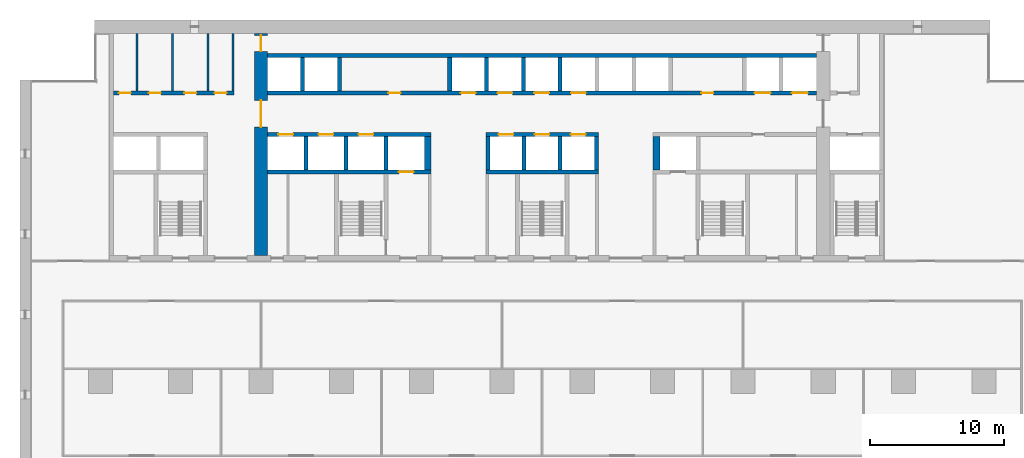
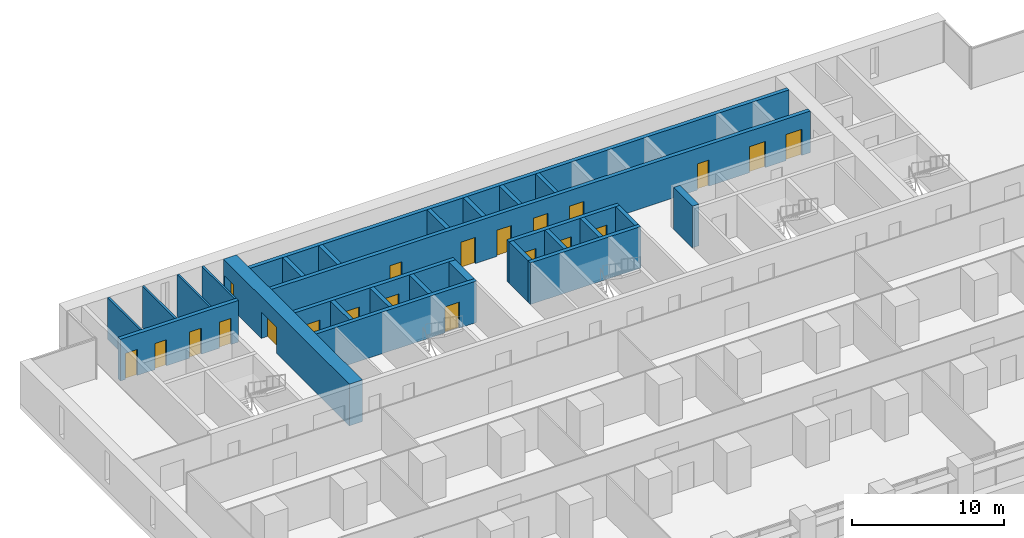
# One storey, part 11 of 18: 27 walls, 21 doors, 21 openings.
"""IFC4 building model written with IfcOpenShell, lengths in metres."""

from ifc_helpers import new_model, si_unit, direction, frame, frame_2d, origin, place, context, subcontext, project, spatial, rectangle, extrude, material, layer, layer_set, type_object, element, fill, save


model = new_model("IFC4")

# Units and contexts
model_context = context("Model", 3, precision=1e-05, world=origin(), true_north=direction((0.0, 1.0)))
body_context = subcontext(model_context, "Body", "Model", "MODEL_VIEW")
ifc_project = project(units=[si_unit("LENGTHUNIT", "METRE"), si_unit("AREAUNIT", "SQUARE_METRE"), si_unit("VOLUMEUNIT", "CUBIC_METRE"), si_unit("PLANEANGLEUNIT", "RADIAN"), si_unit("MASSUNIT", "GRAM", prefix="KILO")], contexts=[model_context])

# Site, building, storey
site_placement = place(None, origin())
site = spatial("IfcSite", under=ifc_project, at=site_placement, CompositionType="ELEMENT")
building_placement = place(site_placement, origin())
building = spatial("IfcBuilding", under=site, at=building_placement, Name="Calvaro Tower", CompositionType="ELEMENT")
storey_placement = place(building_placement, frame((0.0, 0.0, 33.75)))
storey = spatial("IfcBuildingStorey", under=building, at=storey_placement, Name="L07", CompositionType="ELEMENT", Elevation=33.75)

# Walls
ifc_material_1 = material(Name="Blockwork partition", Category="masonry")
ifc_layer_1 = layer(ifc_material_1, 0.14990234375)
ifc_layer_set_1 = layer_set([ifc_layer_1], Name="Blockwork partition")
wall_type_1 = type_object("IfcWallType", Name="Core partition 150 EI 60", PredefinedType="PARTITIONING", material=ifc_layer_set_1)
for number, where, z_axis, x_axis, name in (
    (1, (8.75, 40.699951171875, 0.0), (0.0, 0.0, 1.0), (0.0, 1.0, 0.0), "Core partition"),
    (2, (11.39990234375, 40.699951171875, 0.0), (0.0, 0.0, 1.0), (0.0, 1.0, 0.0), "Core partition"),
    (3, (14.050048828125, 40.699951171875, 0.0), (0.0, 0.0, 1.0), (0.0, 1.0, 0.0), "Core partition"),
):
    element("IfcWall", number, at=place(storey_placement, frame(where, z_axis=z_axis, x_axis=x_axis)), inside=storey, type_object=wall_type_1, Name=name, PredefinedType="PARTITIONING", context=body_context, shape_type="SweptSolid", body=[
        extrude(rectangle(XDim=4.300048828125, YDim=0.14990234375, at=frame_2d((2.14990234375, 0.0))), origin(), (0.0, 0.0, 1.0), 3.35009765625),
    ])
ifc_material_2 = material(Name="Blockwork partition", Category="masonry")
ifc_layer_2 = layer(ifc_material_2, 0.14990234375)
ifc_layer_set_2 = layer_set([ifc_layer_2], Name="Blockwork partition")
wall_type_2 = type_object("IfcWallType", Name="Core partition 150 REI 120", PredefinedType="PARTITIONING", material=ifc_layer_set_2)
wall_1_placement = place(storey_placement, frame((15.925048828125, 40.699951171875, 0.0), z_axis=(0.0, 0.0, 1.0), x_axis=(0.0, 1.0, 0.0)))
element("IfcWall", 4, at=wall_1_placement, inside=storey, type_object=wall_type_2, Name="Core partition", PredefinedType="PARTITIONING", context=body_context, shape_type="SweptSolid", body=[
    extrude(rectangle(XDim=4.300048828125, YDim=0.14990234375, at=frame_2d((2.14990234375, 0.0))), origin(), (0.0, 0.0, 1.0), 3.35009765625),
])

# Wall, openings, doors
ifc_material_3 = material(Name="Blockwork partition", Category="masonry")
ifc_layer_3 = layer(ifc_material_3, 0.300048828125)
ifc_layer_set_3 = layer_set([ifc_layer_3], Name="Blockwork partition")
wall_type_3 = type_object("IfcWallType", Name="Core partition 300 REI 120", PredefinedType="PARTITIONING", material=ifc_layer_set_3)
wall_2_placement = place(storey_placement, frame((7.0, 40.550048828125, 0.0), z_axis=(0.0, 0.0, 1.0), x_axis=(1.0, 0.0, 0.0)))
wall_2 = element("IfcWall", 5, at=wall_2_placement, inside=storey, type_object=wall_type_3, Name="Core partition", PredefinedType="PARTITIONING", context=body_context, shape_type="SweptSolid", body=[
    extrude(rectangle(XDim=9.0, YDim=0.300048828125, at=frame_2d((4.5, 0.0))), origin(), (0.0, 0.0, 1.0), 3.35009765625),
])
opening_1_placement = place(wall_2_placement, frame((0.387451171875, 0.0, 0.0)))
opening_1 = element("IfcOpeningElement", 6, at=opening_1_placement, cuts=wall_2, Name="Opening RD9C", PredefinedType="OPENING", context=body_context, shape_type="SweptSolid", body=[
    extrude(rectangle(XDim=0.89990234375, YDim=2.10009765625, at=frame_2d((0.449951171875, 1.050048828125))), frame((0.0, 0.159912109375, 0.0), z_axis=(0.0, -1.0, 0.0), x_axis=(1.0, 0.0, 0.0)), (0.0, 0.0, 1.0), 0.320068359375),
])
opening_2_placement = place(wall_2_placement, frame((2.625, 0.0, 0.0)))
opening_2 = element("IfcOpeningElement", 7, at=opening_2_placement, cuts=wall_2, Name="Opening RD9", PredefinedType="OPENING", context=body_context, shape_type="SweptSolid", body=[
    extrude(rectangle(XDim=0.89990234375, YDim=2.10009765625, at=frame_2d((0.449951171875, 1.050048828125))), frame((0.0, 0.159912109375, 0.0), z_axis=(0.0, -1.0, 0.0), x_axis=(1.0, 0.0, 0.0)), (0.0, 0.0, 1.0), 0.320068359375),
])
opening_3_placement = place(wall_2_placement, frame((5.27490234375, 0.0, 0.0)))
opening_3 = element("IfcOpeningElement", 8, at=opening_3_placement, cuts=wall_2, Name="Opening RD9", PredefinedType="OPENING", context=body_context, shape_type="SweptSolid", body=[
    extrude(rectangle(XDim=0.89990234375, YDim=2.10009765625, at=frame_2d((0.449951171875, 1.050048828125))), frame((0.0, 0.159912109375, 0.0), z_axis=(0.0, -1.0, 0.0), x_axis=(1.0, 0.0, 0.0)), (0.0, 0.0, 1.0), 0.320068359375),
])
opening_4_placement = place(wall_2_placement, frame((7.53759765625, 0.0, 0.0)))
opening_4 = element("IfcOpeningElement", 9, at=opening_4_placement, cuts=wall_2, Name="Opening RD9", PredefinedType="OPENING", context=body_context, shape_type="SweptSolid", body=[
    extrude(rectangle(XDim=0.89990234375, YDim=2.10009765625, at=frame_2d((0.449951171875, 1.050048828125))), frame((0.0, 0.159912109375, 0.0), z_axis=(0.0, -1.0, 0.0), x_axis=(1.0, 0.0, 0.0)), (0.0, 0.0, 1.0), 0.320068359375),
])
ifc_material_4 = material(Name="Steel door set", Category="steel")
door_type_1 = type_object("IfcDoorType", Name="Room door 900", OperationType="SINGLE_SWING_LEFT", PredefinedType="DOOR", material=ifc_material_4)
door_1_placement = place(opening_2_placement, origin())
door_1 = element("IfcDoor", 10, at=door_1_placement, inside=storey, type_object=door_type_1, Name="Room door", OperationType="SINGLE_SWING_LEFT", OverallHeight=2.10009765625, OverallWidth=0.89990234375, PredefinedType="DOOR", context=body_context, shape_type="SweptSolid", body=[
    extrude(rectangle(XDim=0.89990234375, YDim=2.10009765625, at=frame_2d((0.449951171875, 1.050048828125))), frame((0.0, 0.02490234375, 0.0), z_axis=(0.0, -1.0, 0.0), x_axis=(1.0, 0.0, 0.0)), (0.0, 0.0, 1.0), 0.050048828125),
])
fill(opening_2, door_1)
door_2_placement = place(opening_3_placement, origin())
door_2 = element("IfcDoor", 11, at=door_2_placement, inside=storey, type_object=door_type_1, Name="Room door", OperationType="SINGLE_SWING_LEFT", OverallHeight=2.10009765625, OverallWidth=0.89990234375, PredefinedType="DOOR", context=body_context, shape_type="SweptSolid", body=[
    extrude(rectangle(XDim=0.89990234375, YDim=2.10009765625, at=frame_2d((0.449951171875, 1.050048828125))), frame((0.0, 0.02490234375, 0.0), z_axis=(0.0, -1.0, 0.0), x_axis=(1.0, 0.0, 0.0)), (0.0, 0.0, 1.0), 0.050048828125),
])
fill(opening_3, door_2)
door_3_placement = place(opening_4_placement, origin())
door_3 = element("IfcDoor", 12, at=door_3_placement, inside=storey, type_object=door_type_1, Name="Room door", OperationType="SINGLE_SWING_RIGHT", OverallHeight=2.10009765625, OverallWidth=0.89990234375, PredefinedType="DOOR", context=body_context, shape_type="SweptSolid", body=[
    extrude(rectangle(XDim=0.89990234375, YDim=2.10009765625, at=frame_2d((0.449951171875, 1.050048828125))), frame((0.0, 0.02490234375, 0.0), z_axis=(0.0, -1.0, 0.0), x_axis=(1.0, 0.0, 0.0)), (0.0, 0.0, 1.0), 0.050048828125),
])
fill(opening_4, door_3)
ifc_material_5 = material(Name="Steel door set", Category="steel")
door_type_2 = type_object("IfcDoorType", Name="Room door 900 FD30", OperationType="SINGLE_SWING_LEFT", PredefinedType="DOOR", material=ifc_material_5)
door_4_placement = place(opening_1_placement, origin())
door_4 = element("IfcDoor", 13, at=door_4_placement, inside=storey, type_object=door_type_2, Name="Room door", OperationType="SINGLE_SWING_LEFT", OverallHeight=2.10009765625, OverallWidth=0.89990234375, PredefinedType="DOOR", context=body_context, shape_type="SweptSolid", body=[
    extrude(rectangle(XDim=0.89990234375, YDim=2.10009765625, at=frame_2d((0.449951171875, 1.050048828125))), frame((0.0, 0.02490234375, 0.0), z_axis=(0.0, -1.0, 0.0), x_axis=(1.0, 0.0, 0.0)), (0.0, 0.0, 1.0), 0.050048828125),
])
fill(opening_1, door_4)

ifc_material_6 = material(Name="Concrete C80/95", Category="concrete")
ifc_layer_4 = layer(ifc_material_6, 1.0)
ifc_layer_set_4 = layer_set([ifc_layer_4], Name="Concrete C80/95")
wall_type_4 = type_object("IfcWallType", Name="Core wall C80/95 1000", PredefinedType="SHEAR", material=ifc_layer_set_4)
wall_3_placement = place(storey_placement, frame((18.0, 28.39990234375, 0.0), z_axis=(0.0, 0.0, 1.0), x_axis=(0.0, 1.0, 0.0)))
wall_3 = element("IfcWall", 14, at=wall_3_placement, inside=storey, type_object=wall_type_4, Name="Core wall, cross shear wall", PredefinedType="SHEAR", context=body_context, shape_type="SweptSolid", body=[
    extrude(rectangle(XDim=16.60009765625, YDim=1.0, at=frame_2d((8.300048828125, 0.0))), origin(), (0.0, 0.0, 1.0), 3.35009765625),
])
opening_5_placement = place(wall_3_placement, frame((9.60009765625, 0.0, 0.0)))
opening_5 = element("IfcOpeningElement", 15, at=opening_5_placement, cuts=wall_3, Name="Opening DD20D", PredefinedType="OPENING", context=body_context, shape_type="SweptSolid", body=[
    extrude(rectangle(XDim=2.0, YDim=2.10009765625, at=frame_2d((1.0, 1.050048828125))), frame((0.0, 0.510009765625, 0.0), z_axis=(0.0, -1.0, 0.0), x_axis=(1.0, 0.0, 0.0)), (0.0, 0.0, 1.0), 1.02001953125),
])
opening_6_placement = place(wall_3_placement, frame((15.25, 0.0, 0.0)))
opening_6 = element("IfcOpeningElement", 16, at=opening_6_placement, cuts=wall_3, Name="Opening FD12C", PredefinedType="OPENING", context=body_context, shape_type="SweptSolid", body=[
    extrude(rectangle(XDim=1.199951171875, YDim=2.10009765625, at=frame_2d((0.60009765625, 1.050048828125))), frame((0.0, 0.510009765625, 0.0), z_axis=(0.0, -1.0, 0.0), x_axis=(1.0, 0.0, 0.0)), (0.0, 0.0, 1.0), 1.02001953125),
])
ifc_material_7 = material(Name="Steel door set", Category="steel")
door_type_3 = type_object("IfcDoorType", Name="Fire door 1200 FD30", OperationType="SINGLE_SWING_LEFT", PredefinedType="DOOR", material=ifc_material_7)
door_5_placement = place(opening_6_placement, origin())
door_5 = element("IfcDoor", 17, at=door_5_placement, inside=storey, type_object=door_type_3, Name="Fire door", OperationType="SINGLE_SWING_LEFT", OverallHeight=2.10009765625, OverallWidth=1.199951171875, PredefinedType="DOOR", context=body_context, shape_type="SweptSolid", body=[
    extrude(rectangle(XDim=1.199951171875, YDim=2.10009765625, at=frame_2d((0.60009765625, 1.050048828125))), frame((0.0, 0.02490234375, 0.0), z_axis=(0.0, -1.0, 0.0), x_axis=(1.0, 0.0, 0.0)), (0.0, 0.0, 1.0), 0.050048828125),
])
fill(opening_6, door_5)
ifc_material_8 = material(Name="Steel door set", Category="steel")
door_type_4 = type_object("IfcDoorType", Name="Lobby double door 2000 FD30S", OperationType="DOUBLE_DOOR_SINGLE_SWING", PredefinedType="DOOR", material=ifc_material_8)
door_6_placement = place(opening_5_placement, origin())
door_6 = element("IfcDoor", 18, at=door_6_placement, inside=storey, type_object=door_type_4, Name="Lobby double door", OperationType="DOUBLE_DOOR_SINGLE_SWING", OverallHeight=2.10009765625, OverallWidth=2.0, PredefinedType="DOOR", context=body_context, shape_type="SweptSolid", body=[
    extrude(rectangle(XDim=2.0, YDim=2.10009765625, at=frame_2d((1.0, 1.050048828125))), frame((0.0, 0.02490234375, 0.0), z_axis=(0.0, -1.0, 0.0), x_axis=(1.0, 0.0, 0.0)), (0.0, 0.0, 1.0), 0.050048828125),
])
fill(opening_5, door_6)

# Wall, opening, door
ifc_material_9 = material(Name="Concrete C80/95", Category="concrete")
ifc_layer_5 = layer(ifc_material_9, 0.300048828125)
ifc_layer_set_5 = layer_set([ifc_layer_5], Name="Concrete C80/95")
wall_type_5 = type_object("IfcWallType", Name="Core wall C80/95 300", PredefinedType="SHEAR", material=ifc_layer_set_5)
wall_4_placement = place(storey_placement, frame((18.5, 34.64990234375, 0.0), z_axis=(0.0, 0.0, 1.0), x_axis=(1.0, 0.0, 0.0)))
wall_4 = element("IfcWall", 19, at=wall_4_placement, inside=storey, type_object=wall_type_5, Name="Core wall, lift shaft", PredefinedType="SHEAR", context=body_context, shape_type="SweptSolid", body=[
    extrude(rectangle(XDim=12.199951171875, YDim=0.300048828125, at=frame_2d((6.10009765625, 0.0))), origin(), (0.0, 0.0, 1.0), 3.35009765625),
])
opening_7_placement = place(wall_4_placement, frame((9.800048828125, 0.0, 0.0)))
opening_7 = element("IfcOpeningElement", 20, at=opening_7_placement, cuts=wall_4, Name="Opening FF1", PredefinedType="OPENING", context=body_context, shape_type="SweptSolid", body=[
    extrude(rectangle(XDim=1.10009765625, YDim=2.10009765625, at=frame_2d((0.550048828125, 1.050048828125))), frame((0.0, 0.159912109375, 0.0), z_axis=(0.0, -1.0, 0.0), x_axis=(1.0, 0.0, 0.0)), (0.0, 0.0, 1.0), 0.320068359375),
])
ifc_material_10 = material(Name="Stainless steel", Category="steel")
door_type_5 = type_object("IfcDoorType", Name="Landing door 1100 E 60", OperationType="SLIDING_TO_LEFT", PredefinedType="DOOR", material=ifc_material_10)
door_7_placement = place(opening_7_placement, origin())
door_7 = element("IfcDoor", 21, at=door_7_placement, inside=storey, type_object=door_type_5, Name="Landing door FF1", OperationType="SLIDING_TO_LEFT", OverallHeight=2.10009765625, OverallWidth=1.10009765625, PredefinedType="DOOR", context=body_context, shape_type="SweptSolid", body=[
    extrude(rectangle(XDim=1.10009765625, YDim=2.10009765625, at=frame_2d((0.550048828125, 1.050048828125))), frame((0.0, 0.02490234375, 0.0), z_axis=(0.0, -1.0, 0.0), x_axis=(1.0, 0.0, 0.0)), (0.0, 0.0, 1.0), 0.050048828125),
])
fill(opening_7, door_7)

# Wall
wall_5_placement = place(storey_placement, frame((34.800048828125, 34.64990234375, 0.0), z_axis=(0.0, 0.0, 1.0), x_axis=(1.0, 0.0, 0.0)))
element("IfcWall", 22, at=wall_5_placement, inside=storey, type_object=wall_type_5, Name="Core wall, lift shaft", PredefinedType="SHEAR", context=body_context, shape_type="SweptSolid", body=[
    extrude(rectangle(XDim=8.39990234375, YDim=0.300048828125, at=frame_2d((4.199951171875, 0.0))), origin(), (0.0, 0.0, 1.0), 3.35009765625),
])

# Wall, openings, doors
wall_6_placement = place(storey_placement, frame((18.5, 37.449951171875, 0.0), z_axis=(0.0, 0.0, 1.0), x_axis=(1.0, 0.0, 0.0)))
wall_6 = element("IfcWall", 23, at=wall_6_placement, inside=storey, type_object=wall_type_5, Name="Core wall, lift shaft", PredefinedType="SHEAR", context=body_context, shape_type="SweptSolid", body=[
    extrude(rectangle(XDim=12.199951171875, YDim=0.300048828125, at=frame_2d((6.10009765625, 0.0))), origin(), (0.0, 0.0, 1.0), 3.35009765625),
])
opening_8_placement = place(wall_6_placement, frame((0.800048828125, 0.0, 0.0)))
opening_8 = element("IfcOpeningElement", 24, at=opening_8_placement, cuts=wall_6, Name="Opening LR1", PredefinedType="OPENING", context=body_context, shape_type="SweptSolid", body=[
    extrude(rectangle(XDim=1.10009765625, YDim=2.10009765625, at=frame_2d((0.550048828125, 1.050048828125))), frame((0.0, 0.159912109375, 0.0), z_axis=(0.0, -1.0, 0.0), x_axis=(1.0, 0.0, 0.0)), (0.0, 0.0, 1.0), 0.320068359375),
])
opening_9_placement = place(wall_6_placement, frame((3.800048828125, 0.0, 0.0)))
opening_9 = element("IfcOpeningElement", 25, at=opening_9_placement, cuts=wall_6, Name="Opening LR2", PredefinedType="OPENING", context=body_context, shape_type="SweptSolid", body=[
    extrude(rectangle(XDim=1.10009765625, YDim=2.10009765625, at=frame_2d((0.550048828125, 1.050048828125))), frame((0.0, 0.159912109375, 0.0), z_axis=(0.0, -1.0, 0.0), x_axis=(1.0, 0.0, 0.0)), (0.0, 0.0, 1.0), 0.320068359375),
])
opening_10_placement = place(wall_6_placement, frame((6.800048828125, 0.0, 0.0)))
opening_10 = element("IfcOpeningElement", 26, at=opening_10_placement, cuts=wall_6, Name="Opening LR3", PredefinedType="OPENING", context=body_context, shape_type="SweptSolid", body=[
    extrude(rectangle(XDim=1.10009765625, YDim=2.10009765625, at=frame_2d((0.550048828125, 1.050048828125))), frame((0.0, 0.159912109375, 0.0), z_axis=(0.0, -1.0, 0.0), x_axis=(1.0, 0.0, 0.0)), (0.0, 0.0, 1.0), 0.320068359375),
])
door_8_placement = place(opening_8_placement, origin())
door_8 = element("IfcDoor", 27, at=door_8_placement, inside=storey, type_object=door_type_5, Name="Landing door LR1", OperationType="SLIDING_TO_LEFT", OverallHeight=2.10009765625, OverallWidth=1.10009765625, PredefinedType="DOOR", context=body_context, shape_type="SweptSolid", body=[
    extrude(rectangle(XDim=1.10009765625, YDim=2.10009765625, at=frame_2d((0.550048828125, 1.050048828125))), frame((0.0, 0.02490234375, 0.0), z_axis=(0.0, -1.0, 0.0), x_axis=(1.0, 0.0, 0.0)), (0.0, 0.0, 1.0), 0.050048828125),
])
fill(opening_8, door_8)
door_9_placement = place(opening_9_placement, origin())
door_9 = element("IfcDoor", 28, at=door_9_placement, inside=storey, type_object=door_type_5, Name="Landing door LR2", OperationType="SLIDING_TO_LEFT", OverallHeight=2.10009765625, OverallWidth=1.10009765625, PredefinedType="DOOR", context=body_context, shape_type="SweptSolid", body=[
    extrude(rectangle(XDim=1.10009765625, YDim=2.10009765625, at=frame_2d((0.550048828125, 1.050048828125))), frame((0.0, 0.02490234375, 0.0), z_axis=(0.0, -1.0, 0.0), x_axis=(1.0, 0.0, 0.0)), (0.0, 0.0, 1.0), 0.050048828125),
])
fill(opening_9, door_9)
door_10_placement = place(opening_10_placement, origin())
door_10 = element("IfcDoor", 29, at=door_10_placement, inside=storey, type_object=door_type_5, Name="Landing door LR3", OperationType="SLIDING_TO_LEFT", OverallHeight=2.10009765625, OverallWidth=1.10009765625, PredefinedType="DOOR", context=body_context, shape_type="SweptSolid", body=[
    extrude(rectangle(XDim=1.10009765625, YDim=2.10009765625, at=frame_2d((0.550048828125, 1.050048828125))), frame((0.0, 0.02490234375, 0.0), z_axis=(0.0, -1.0, 0.0), x_axis=(1.0, 0.0, 0.0)), (0.0, 0.0, 1.0), 0.050048828125),
])
fill(opening_10, door_10)

wall_7_placement = place(storey_placement, frame((34.800048828125, 37.449951171875, 0.0), z_axis=(0.0, 0.0, 1.0), x_axis=(1.0, 0.0, 0.0)))
wall_7 = element("IfcWall", 30, at=wall_7_placement, inside=storey, type_object=wall_type_5, Name="Core wall, lift shaft", PredefinedType="SHEAR", context=body_context, shape_type="SweptSolid", body=[
    extrude(rectangle(XDim=8.39990234375, YDim=0.300048828125, at=frame_2d((4.199951171875, 0.0))), origin(), (0.0, 0.0, 1.0), 3.35009765625),
])
opening_11_placement = place(wall_7_placement, frame((0.949951171875, 0.0, 0.0)))
opening_11 = element("IfcOpeningElement", 31, at=opening_11_placement, cuts=wall_7, Name="Opening LR4", PredefinedType="OPENING", context=body_context, shape_type="SweptSolid", body=[
    extrude(rectangle(XDim=1.10009765625, YDim=2.10009765625, at=frame_2d((0.550048828125, 1.050048828125))), frame((0.0, 0.159912109375, 0.0), z_axis=(0.0, -1.0, 0.0), x_axis=(1.0, 0.0, 0.0)), (0.0, 0.0, 1.0), 0.320068359375),
])
opening_12_placement = place(wall_7_placement, frame((3.64990234375, 0.0, 0.0)))
opening_12 = element("IfcOpeningElement", 32, at=opening_12_placement, cuts=wall_7, Name="Opening LR5", PredefinedType="OPENING", context=body_context, shape_type="SweptSolid", body=[
    extrude(rectangle(XDim=1.10009765625, YDim=2.10009765625, at=frame_2d((0.550048828125, 1.050048828125))), frame((0.0, 0.159912109375, 0.0), z_axis=(0.0, -1.0, 0.0), x_axis=(1.0, 0.0, 0.0)), (0.0, 0.0, 1.0), 0.320068359375),
])
opening_13_placement = place(wall_7_placement, frame((6.35009765625, 0.0, 0.0)))
opening_13 = element("IfcOpeningElement", 33, at=opening_13_placement, cuts=wall_7, Name="Opening LR6", PredefinedType="OPENING", context=body_context, shape_type="SweptSolid", body=[
    extrude(rectangle(XDim=1.10009765625, YDim=2.10009765625, at=frame_2d((0.550048828125, 1.050048828125))), frame((0.0, 0.159912109375, 0.0), z_axis=(0.0, -1.0, 0.0), x_axis=(1.0, 0.0, 0.0)), (0.0, 0.0, 1.0), 0.320068359375),
])
door_11_placement = place(opening_11_placement, origin())
door_11 = element("IfcDoor", 34, at=door_11_placement, inside=storey, type_object=door_type_5, Name="Landing door LR4", OperationType="SLIDING_TO_LEFT", OverallHeight=2.10009765625, OverallWidth=1.10009765625, PredefinedType="DOOR", context=body_context, shape_type="SweptSolid", body=[
    extrude(rectangle(XDim=1.10009765625, YDim=2.10009765625, at=frame_2d((0.550048828125, 1.050048828125))), frame((0.0, 0.02490234375, 0.0), z_axis=(0.0, -1.0, 0.0), x_axis=(1.0, 0.0, 0.0)), (0.0, 0.0, 1.0), 0.050048828125),
])
fill(opening_11, door_11)
door_12_placement = place(opening_12_placement, origin())
door_12 = element("IfcDoor", 35, at=door_12_placement, inside=storey, type_object=door_type_5, Name="Landing door LR5", OperationType="SLIDING_TO_LEFT", OverallHeight=2.10009765625, OverallWidth=1.10009765625, PredefinedType="DOOR", context=body_context, shape_type="SweptSolid", body=[
    extrude(rectangle(XDim=1.10009765625, YDim=2.10009765625, at=frame_2d((0.550048828125, 1.050048828125))), frame((0.0, 0.02490234375, 0.0), z_axis=(0.0, -1.0, 0.0), x_axis=(1.0, 0.0, 0.0)), (0.0, 0.0, 1.0), 0.050048828125),
])
fill(opening_12, door_12)
door_13_placement = place(opening_13_placement, origin())
door_13 = element("IfcDoor", 36, at=door_13_placement, inside=storey, type_object=door_type_5, Name="Landing door LR6", OperationType="SLIDING_TO_LEFT", OverallHeight=2.10009765625, OverallWidth=1.10009765625, PredefinedType="DOOR", context=body_context, shape_type="SweptSolid", body=[
    extrude(rectangle(XDim=1.10009765625, YDim=2.10009765625, at=frame_2d((0.550048828125, 1.050048828125))), frame((0.0, 0.02490234375, 0.0), z_axis=(0.0, -1.0, 0.0), x_axis=(1.0, 0.0, 0.0)), (0.0, 0.0, 1.0), 0.050048828125),
])
fill(opening_13, door_13)

# Walls
for number, where, z_axis, x_axis, name in (
    (37, (27.35009765625, 34.800048828125, 0.0), (0.0, 0.0, 1.0), (0.0, 1.0, 0.0), "Core wall, lift shaft"),
    (38, (34.949951171875, 34.800048828125, 0.0), (0.0, 0.0, 1.0), (0.0, 1.0, 0.0), "Core wall, lift shaft"),
    (39, (43.050048828125, 34.800048828125, 0.0), (0.0, 0.0, 1.0), (0.0, 1.0, 0.0), "Core wall, lift shaft"),
):
    element("IfcWall", number, at=place(storey_placement, frame(where, z_axis=z_axis, x_axis=x_axis)), inside=storey, type_object=wall_type_5, Name=name, PredefinedType="SHEAR", context=body_context, shape_type="SweptSolid", body=[
        extrude(rectangle(XDim=2.5, YDim=0.300048828125, at=frame_2d((1.25, 0.0))), origin(), (0.0, 0.0, 1.0), 3.35009765625),
    ])

# Wall, openings, doors
wall_8_placement = place(storey_placement, frame((18.5, 40.550048828125, 0.0), z_axis=(0.0, 0.0, 1.0), x_axis=(1.0, 0.0, 0.0)))
wall_8 = element("IfcWall", 40, at=wall_8_placement, inside=storey, type_object=wall_type_5, Name="Core wall, bay", PredefinedType="SHEAR", context=body_context, shape_type="SweptSolid", body=[
    extrude(rectangle(XDim=41.0, YDim=0.300048828125, at=frame_2d((20.5, 0.0))), origin(), (0.0, 0.0, 1.0), 3.35009765625),
])
opening_14_placement = place(wall_8_placement, frame((9.02490234375, 0.0, 0.0)))
opening_14 = element("IfcOpeningElement", 41, at=opening_14_placement, cuts=wall_8, Name="Opening RD9E", PredefinedType="OPENING", context=body_context, shape_type="SweptSolid", body=[
    extrude(rectangle(XDim=0.89990234375, YDim=2.10009765625, at=frame_2d((0.449951171875, 1.050048828125))), frame((0.0, 0.159912109375, 0.0), z_axis=(0.0, -1.0, 0.0), x_axis=(1.0, 0.0, 0.0)), (0.0, 0.0, 1.0), 0.320068359375),
])
opening_15_placement = place(wall_8_placement, frame((32.39990234375, 0.0, 0.0)))
opening_15 = element("IfcOpeningElement", 42, at=opening_15_placement, cuts=wall_8, Name="Opening RD9E", PredefinedType="OPENING", context=body_context, shape_type="SweptSolid", body=[
    extrude(rectangle(XDim=0.89990234375, YDim=2.10009765625, at=frame_2d((0.449951171875, 1.050048828125))), frame((0.0, 0.159912109375, 0.0), z_axis=(0.0, -1.0, 0.0), x_axis=(1.0, 0.0, 0.0)), (0.0, 0.0, 1.0), 0.320068359375),
])
opening_16_placement = place(wall_8_placement, frame((14.425048828125, 0.0, 0.0)))
opening_16 = element("IfcOpeningElement", 43, at=opening_16_placement, cuts=wall_8, Name="Opening LR7", PredefinedType="OPENING", context=body_context, shape_type="SweptSolid", body=[
    extrude(rectangle(XDim=1.10009765625, YDim=2.10009765625, at=frame_2d((0.550048828125, 1.050048828125))), frame((0.0, 0.159912109375, 0.0), z_axis=(0.0, -1.0, 0.0), x_axis=(1.0, 0.0, 0.0)), (0.0, 0.0, 1.0), 0.320068359375),
])
opening_17_placement = place(wall_8_placement, frame((17.175048828125, 0.0, 0.0)))
opening_17 = element("IfcOpeningElement", 44, at=opening_17_placement, cuts=wall_8, Name="Opening LR8", PredefinedType="OPENING", context=body_context, shape_type="SweptSolid", body=[
    extrude(rectangle(XDim=1.10009765625, YDim=2.10009765625, at=frame_2d((0.550048828125, 1.050048828125))), frame((0.0, 0.159912109375, 0.0), z_axis=(0.0, -1.0, 0.0), x_axis=(1.0, 0.0, 0.0)), (0.0, 0.0, 1.0), 0.320068359375),
])
opening_18_placement = place(wall_8_placement, frame((19.925048828125, 0.0, 0.0)))
opening_18 = element("IfcOpeningElement", 45, at=opening_18_placement, cuts=wall_8, Name="Opening LR9", PredefinedType="OPENING", context=body_context, shape_type="SweptSolid", body=[
    extrude(rectangle(XDim=1.10009765625, YDim=2.10009765625, at=frame_2d((0.550048828125, 1.050048828125))), frame((0.0, 0.159912109375, 0.0), z_axis=(0.0, -1.0, 0.0), x_axis=(1.0, 0.0, 0.0)), (0.0, 0.0, 1.0), 0.320068359375),
])
opening_19_placement = place(wall_8_placement, frame((22.675048828125, 0.0, 0.0)))
opening_19 = element("IfcOpeningElement", 46, at=opening_19_placement, cuts=wall_8, Name="Opening LR10", PredefinedType="OPENING", context=body_context, shape_type="SweptSolid", body=[
    extrude(rectangle(XDim=1.10009765625, YDim=2.10009765625, at=frame_2d((0.550048828125, 1.050048828125))), frame((0.0, 0.159912109375, 0.0), z_axis=(0.0, -1.0, 0.0), x_axis=(1.0, 0.0, 0.0)), (0.0, 0.0, 1.0), 0.320068359375),
])
opening_20_placement = place(wall_8_placement, frame((36.375, 0.0, 0.0)))
opening_20 = element("IfcOpeningElement", 47, at=opening_20_placement, cuts=wall_8, Name="Opening SV1", PredefinedType="OPENING", context=body_context, shape_type="SweptSolid", body=[
    extrude(rectangle(XDim=1.199951171875, YDim=2.10009765625, at=frame_2d((0.60009765625, 1.050048828125))), frame((0.0, 0.159912109375, 0.0), z_axis=(0.0, -1.0, 0.0), x_axis=(1.0, 0.0, 0.0)), (0.0, 0.0, 1.0), 0.320068359375),
])
opening_21_placement = place(wall_8_placement, frame((39.14990234375, 0.0, 0.0)))
opening_21 = element("IfcOpeningElement", 48, at=opening_21_placement, cuts=wall_8, Name="Opening SV2", PredefinedType="OPENING", context=body_context, shape_type="SweptSolid", body=[
    extrude(rectangle(XDim=1.199951171875, YDim=2.10009765625, at=frame_2d((0.60009765625, 1.050048828125))), frame((0.0, 0.159912109375, 0.0), z_axis=(0.0, -1.0, 0.0), x_axis=(1.0, 0.0, 0.0)), (0.0, 0.0, 1.0), 0.320068359375),
])
door_14_placement = place(opening_16_placement, origin())
door_14 = element("IfcDoor", 49, at=door_14_placement, inside=storey, type_object=door_type_5, Name="Landing door LR7", OperationType="SLIDING_TO_LEFT", OverallHeight=2.10009765625, OverallWidth=1.10009765625, PredefinedType="DOOR", context=body_context, shape_type="SweptSolid", body=[
    extrude(rectangle(XDim=1.10009765625, YDim=2.10009765625, at=frame_2d((0.550048828125, 1.050048828125))), frame((0.0, 0.02490234375, 0.0), z_axis=(0.0, -1.0, 0.0), x_axis=(1.0, 0.0, 0.0)), (0.0, 0.0, 1.0), 0.050048828125),
])
fill(opening_16, door_14)
door_15_placement = place(opening_17_placement, origin())
door_15 = element("IfcDoor", 50, at=door_15_placement, inside=storey, type_object=door_type_5, Name="Landing door LR8", OperationType="SLIDING_TO_LEFT", OverallHeight=2.10009765625, OverallWidth=1.10009765625, PredefinedType="DOOR", context=body_context, shape_type="SweptSolid", body=[
    extrude(rectangle(XDim=1.10009765625, YDim=2.10009765625, at=frame_2d((0.550048828125, 1.050048828125))), frame((0.0, 0.02490234375, 0.0), z_axis=(0.0, -1.0, 0.0), x_axis=(1.0, 0.0, 0.0)), (0.0, 0.0, 1.0), 0.050048828125),
])
fill(opening_17, door_15)
door_16_placement = place(opening_18_placement, origin())
door_16 = element("IfcDoor", 51, at=door_16_placement, inside=storey, type_object=door_type_5, Name="Landing door LR9", OperationType="SLIDING_TO_LEFT", OverallHeight=2.10009765625, OverallWidth=1.10009765625, PredefinedType="DOOR", context=body_context, shape_type="SweptSolid", body=[
    extrude(rectangle(XDim=1.10009765625, YDim=2.10009765625, at=frame_2d((0.550048828125, 1.050048828125))), frame((0.0, 0.02490234375, 0.0), z_axis=(0.0, -1.0, 0.0), x_axis=(1.0, 0.0, 0.0)), (0.0, 0.0, 1.0), 0.050048828125),
])
fill(opening_18, door_16)
door_17_placement = place(opening_19_placement, origin())
door_17 = element("IfcDoor", 52, at=door_17_placement, inside=storey, type_object=door_type_5, Name="Landing door LR10", OperationType="SLIDING_TO_LEFT", OverallHeight=2.10009765625, OverallWidth=1.10009765625, PredefinedType="DOOR", context=body_context, shape_type="SweptSolid", body=[
    extrude(rectangle(XDim=1.10009765625, YDim=2.10009765625, at=frame_2d((0.550048828125, 1.050048828125))), frame((0.0, 0.02490234375, 0.0), z_axis=(0.0, -1.0, 0.0), x_axis=(1.0, 0.0, 0.0)), (0.0, 0.0, 1.0), 0.050048828125),
])
fill(opening_19, door_17)
ifc_material_11 = material(Name="Stainless steel", Category="steel")
door_type_6 = type_object("IfcDoorType", Name="Landing door 1200 E 60", OperationType="SLIDING_TO_LEFT", PredefinedType="DOOR", material=ifc_material_11)
door_18_placement = place(opening_20_placement, origin())
door_18 = element("IfcDoor", 53, at=door_18_placement, inside=storey, type_object=door_type_6, Name="Landing door SV1", OperationType="SLIDING_TO_LEFT", OverallHeight=2.10009765625, OverallWidth=1.199951171875, PredefinedType="DOOR", context=body_context, shape_type="SweptSolid", body=[
    extrude(rectangle(XDim=1.199951171875, YDim=2.10009765625, at=frame_2d((0.60009765625, 1.050048828125))), frame((0.0, 0.02490234375, 0.0), z_axis=(0.0, -1.0, 0.0), x_axis=(1.0, 0.0, 0.0)), (0.0, 0.0, 1.0), 0.050048828125),
])
fill(opening_20, door_18)
door_19_placement = place(opening_21_placement, origin())
door_19 = element("IfcDoor", 54, at=door_19_placement, inside=storey, type_object=door_type_6, Name="Landing door SV2", OperationType="SLIDING_TO_LEFT", OverallHeight=2.10009765625, OverallWidth=1.199951171875, PredefinedType="DOOR", context=body_context, shape_type="SweptSolid", body=[
    extrude(rectangle(XDim=1.199951171875, YDim=2.10009765625, at=frame_2d((0.60009765625, 1.050048828125))), frame((0.0, 0.02490234375, 0.0), z_axis=(0.0, -1.0, 0.0), x_axis=(1.0, 0.0, 0.0)), (0.0, 0.0, 1.0), 0.050048828125),
])
fill(opening_21, door_19)
ifc_material_12 = material(Name="Steel door set", Category="steel")
door_type_7 = type_object("IfcDoorType", Name="Room door 900 FD60", OperationType="SINGLE_SWING_LEFT", PredefinedType="DOOR", material=ifc_material_12)
door_20_placement = place(opening_14_placement, origin())
door_20 = element("IfcDoor", 55, at=door_20_placement, inside=storey, type_object=door_type_7, Name="Room door", OperationType="SINGLE_SWING_RIGHT", OverallHeight=2.10009765625, OverallWidth=0.89990234375, PredefinedType="DOOR", context=body_context, shape_type="SweptSolid", body=[
    extrude(rectangle(XDim=0.89990234375, YDim=2.10009765625, at=frame_2d((0.449951171875, 1.050048828125))), frame((0.0, 0.02490234375, 0.0), z_axis=(0.0, -1.0, 0.0), x_axis=(1.0, 0.0, 0.0)), (0.0, 0.0, 1.0), 0.050048828125),
])
fill(opening_14, door_20)
door_21_placement = place(opening_15_placement, origin())
door_21 = element("IfcDoor", 56, at=door_21_placement, inside=storey, type_object=door_type_7, Name="Room door", OperationType="SINGLE_SWING_LEFT", OverallHeight=2.10009765625, OverallWidth=0.89990234375, PredefinedType="DOOR", context=body_context, shape_type="SweptSolid", body=[
    extrude(rectangle(XDim=0.89990234375, YDim=2.10009765625, at=frame_2d((0.449951171875, 1.050048828125))), frame((0.0, 0.02490234375, 0.0), z_axis=(0.0, -1.0, 0.0), x_axis=(1.0, 0.0, 0.0)), (0.0, 0.0, 1.0), 0.050048828125),
])
fill(opening_15, door_21)

# Walls
wall_9_placement = place(storey_placement, frame((18.5, 43.35009765625, 0.0), z_axis=(0.0, 0.0, 1.0), x_axis=(1.0, 0.0, 0.0)))
element("IfcWall", 57, at=wall_9_placement, inside=storey, type_object=wall_type_5, Name="Core wall, lift shaft", PredefinedType="SHEAR", context=body_context, shape_type="SweptSolid", body=[
    extrude(rectangle(XDim=41.0, YDim=0.300048828125, at=frame_2d((20.5, 0.0))), origin(), (0.0, 0.0, 1.0), 3.35009765625),
])
for number, where, z_axis, x_axis, name in (
    (58, (21.35009765625, 34.800048828125, 0.0), (0.0, 0.0, 1.0), (0.0, 1.0, 0.0), "Core wall, lift shaft"),
    (59, (24.35009765625, 34.800048828125, 0.0), (0.0, 0.0, 1.0), (0.0, 1.0, 0.0), "Core wall, lift shaft"),
    (60, (37.64990234375, 34.800048828125, 0.0), (0.0, 0.0, 1.0), (0.0, 1.0, 0.0), "Core wall, lift shaft"),
    (61, (40.35009765625, 34.800048828125, 0.0), (0.0, 0.0, 1.0), (0.0, 1.0, 0.0), "Core wall, lift shaft"),
    (62, (21.10009765625, 40.699951171875, 0.0), (0.0, 0.0, 1.0), (0.0, 1.0, 0.0), "Core wall, lift shaft"),
    (63, (23.85009765625, 40.699951171875, 0.0), (0.0, 0.0, 1.0), (0.0, 1.0, 0.0), "Core wall, lift shaft"),
    (64, (32.10009765625, 40.699951171875, 0.0), (0.0, 0.0, 1.0), (0.0, 1.0, 0.0), "Core wall, lift shaft"),
    (65, (34.85009765625, 40.699951171875, 0.0), (0.0, 0.0, 1.0), (0.0, 1.0, 0.0), "Core wall, lift shaft"),
    (66, (37.60009765625, 40.699951171875, 0.0), (0.0, 0.0, 1.0), (0.0, 1.0, 0.0), "Core wall, lift shaft"),
    (67, (40.35009765625, 40.699951171875, 0.0), (0.0, 0.0, 1.0), (0.0, 1.0, 0.0), "Core wall, lift shaft"),
):
    element("IfcWall", number, at=place(storey_placement, frame(where, z_axis=z_axis, x_axis=x_axis)), inside=storey, type_object=wall_type_5, Name=name, PredefinedType="SHEAR", context=body_context, shape_type="SweptSolid", body=[
        extrude(rectangle(XDim=2.5, YDim=0.300048828125, at=frame_2d((1.25, 0.0))), origin(), (0.0, 0.0, 1.0), 3.35009765625),
    ])
ifc_material_13 = material(Name="Concrete C80/95", Category="concrete")
ifc_layer_6 = layer(ifc_material_13, 0.5)
ifc_layer_set_6 = layer_set([ifc_layer_6], Name="Concrete C80/95")
wall_type_6 = type_object("IfcWallType", Name="Core wall C80/95 500", PredefinedType="SHEAR", material=ifc_layer_set_6)
for number, where, z_axis, x_axis, name in (
    (68, (30.449951171875, 34.800048828125, 0.0), (0.0, 0.0, 1.0), (0.0, 1.0, 0.0), "Core wall, lift shaft"),
    (69, (47.550048828125, 34.800048828125, 0.0), (0.0, 0.0, 1.0), (0.0, 1.0, 0.0), "Core wall, lift shaft"),
):
    element("IfcWall", number, at=place(storey_placement, frame(where, z_axis=z_axis, x_axis=x_axis)), inside=storey, type_object=wall_type_6, Name=name, PredefinedType="SHEAR", context=body_context, shape_type="SweptSolid", body=[
        extrude(rectangle(XDim=2.5, YDim=0.5, at=frame_2d((1.25, 0.0))), origin(), (0.0, 0.0, 1.0), 3.35009765625),
    ])

save(model, "model.ifc")
